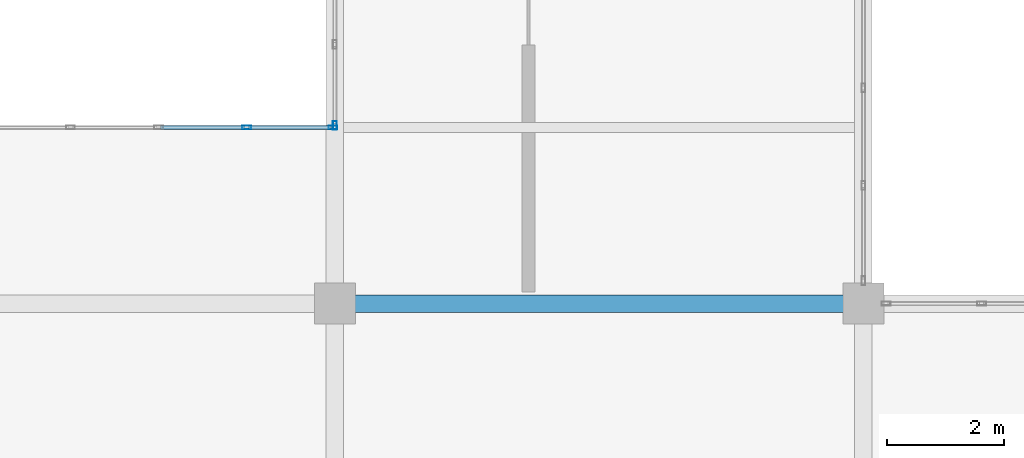
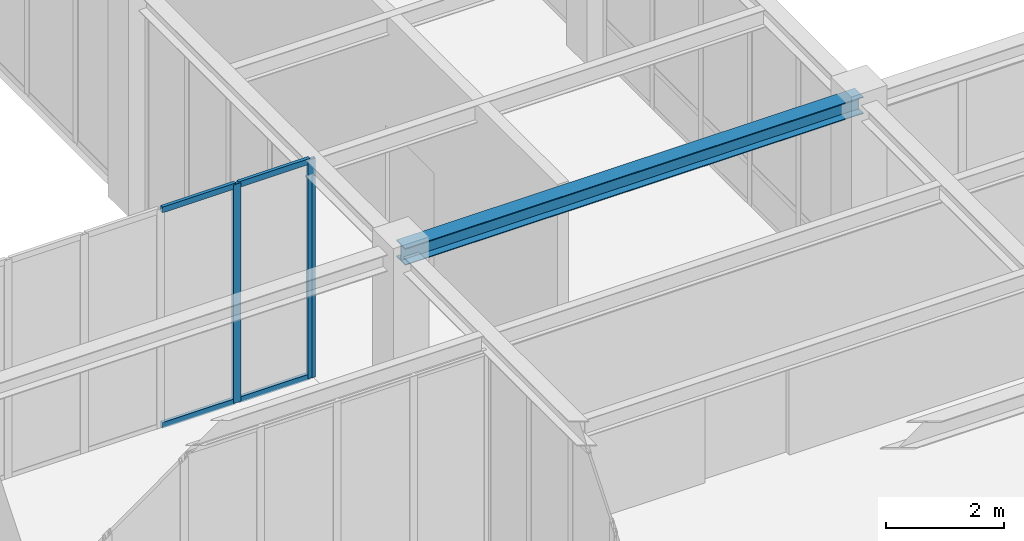
# One storey, part 36 of 92: 7 members, 1 beam, 2 elements without a shape of their own.
"""IFC4 building model written with IfcOpenShell, lengths in metres."""

from ifc_helpers import new_model, si_unit, direction, frame, origin, origin_2d, place, context, subcontext, project, spatial, hollow_rectangle, i_section, extrude, material, material_profile, profile_set, type_object, element, aggregate, save


model = new_model("IFC4")

# Units and contexts
model_context = context("Model", 3, precision=1e-05, world=origin(), true_north=direction((0.0, 1.0)))
body_context = subcontext(model_context, "Body", "Model", "MODEL_VIEW")
ifc_project = project(units=[si_unit("LENGTHUNIT", "METRE"), si_unit("AREAUNIT", "SQUARE_METRE"), si_unit("VOLUMEUNIT", "CUBIC_METRE"), si_unit("PLANEANGLEUNIT", "RADIAN"), si_unit("MASSUNIT", "GRAM", prefix="KILO")], contexts=[model_context])

# Site, building, storey
site_placement = place(None, origin())
site = spatial("IfcSite", under=ifc_project, at=site_placement, CompositionType="ELEMENT")
building_placement = place(site_placement, origin())
building = spatial("IfcBuilding", under=site, at=building_placement, Name="Lykobir Media Centre", CompositionType="ELEMENT")
storey_placement = place(building_placement, frame((0.0, 0.0, 5.39990234375)))
storey = spatial("IfcBuildingStorey", under=building, at=storey_placement, Name="L01", CompositionType="ELEMENT", Elevation=5.39990234375)

# Curtain wall, member
ifc_material_1 = material(Name="Anodized Aluminium AW-6060", Category="aluminium")
curtain_wall_type = type_object("IfcCurtainWallType", Name="CW-BRIDGE", PredefinedType="NOTDEFINED", material=ifc_material_1)
curtain_wall_1_placement = place(storey_placement, origin())
curtain_wall_1 = element("IfcCurtainWall", 1, at=curtain_wall_1_placement, inside=storey, type_object=curtain_wall_type, Name="Curtain wall CW2-L01-0037", PredefinedType="NOTDEFINED")
ifc_material_profile_1 = material_profile(ifc_material_1, hollow_rectangle(XDim=0.06494140625, YDim=0.14990234375, WallThickness=0.00341796875, at=origin_2d()), Name="ALU MULLION 65x150")
ifc_profile_set_1 = profile_set([ifc_material_profile_1], Name="Anodized Aluminium AW-6060")
member_type_1 = type_object("IfcMemberType", Name="CWM-150", PredefinedType="MULLION", material=ifc_profile_set_1)
member_1_placement = place(storey_placement, frame((90.0, 21.032470703125, 0.0), z_axis=(0.0, 0.0, 1.0), x_axis=(-1.0, 0.0, 0.0)))
member_1 = element("IfcMember", 2, at=member_1_placement, type_object=member_type_1, Name="CW2-L01-0037 mullion 1", PredefinedType="MULLION", context=body_context, shape_type="SweptSolid", body=[
    extrude(hollow_rectangle(XDim=0.06494140625, YDim=0.14990234375, WallThickness=0.00341796875, at=origin_2d()), origin(), (0.0, 0.0, 1.0), 4.195068359375),
])
aggregate(curtain_wall_1, [member_1])

# Curtain wall, members
curtain_wall_2_placement = place(storey_placement, origin())
curtain_wall_2 = element("IfcCurtainWall", 3, at=curtain_wall_2_placement, inside=storey, type_object=curtain_wall_type, Name="Curtain wall CW2-L01-0043", PredefinedType="NOTDEFINED")
member_2_placement = place(storey_placement, frame((88.5, 21.0, 0.0), z_axis=(0.0, 0.0, 1.0), x_axis=(0.0, 1.0, 0.0)))
member_2 = element("IfcMember", 4, at=member_2_placement, type_object=member_type_1, Name="CW2-L01-0043 mullion 6", PredefinedType="MULLION", context=body_context, shape_type="SweptSolid", body=[
    extrude(hollow_rectangle(XDim=0.06494140625, YDim=0.14990234375, WallThickness=0.00341796875, at=origin_2d()), origin(), (0.0, 0.0, 1.0), 4.5400390625),
])
member_3_placement = place(storey_placement, frame((89.967529296875, 21.0, 0.0), z_axis=(0.0, 0.0, 1.0), x_axis=(0.0, 1.0, 0.0)))
member_3 = element("IfcMember", 5, at=member_3_placement, type_object=member_type_1, Name="CW2-L01-0043 mullion 7", PredefinedType="MULLION", context=body_context, shape_type="SweptSolid", body=[
    extrude(hollow_rectangle(XDim=0.06494140625, YDim=0.14990234375, WallThickness=0.00341796875, at=origin_2d()), origin(), (0.0, 0.0, 1.0), 4.5400390625),
])
ifc_material_profile_2 = material_profile(ifc_material_1, hollow_rectangle(XDim=0.06494140625, YDim=0.1201171875, WallThickness=0.0029296875, at=origin_2d()), Name="ALU TRANSOM 65x120")
ifc_profile_set_2 = profile_set([ifc_material_profile_2], Name="Anodized Aluminium AW-6060")
member_type_2 = type_object("IfcMemberType", Name="CWT-120", PredefinedType="USERDEFINED", material=ifc_profile_set_2)
member_4_placement = place(storey_placement, frame((87.032470703125, 21.0, 0.03271484375), z_axis=(1.0, 0.0, 0.0), x_axis=(0.0, 1.0, 0.0)))
member_4 = element("IfcMember", 6, at=member_4_placement, type_object=member_type_2, Name="CW2-L01-0043 transom 5.1", ObjectType="TRANSOM", PredefinedType="USERDEFINED", context=body_context, shape_type="SweptSolid", body=[
    extrude(hollow_rectangle(XDim=0.06494140625, YDim=0.1201171875, WallThickness=0.0029296875, at=origin_2d()), origin(), (0.0, 0.0, 1.0), 1.43505859375),
])
member_5_placement = place(storey_placement, frame((87.032470703125, 21.0, 4.507568359375), z_axis=(1.0, 0.0, 0.0), x_axis=(0.0, 1.0, 0.0)))
member_5 = element("IfcMember", 7, at=member_5_placement, type_object=member_type_2, Name="CW2-L01-0043 transom 5.2", ObjectType="TRANSOM", PredefinedType="USERDEFINED", context=body_context, shape_type="SweptSolid", body=[
    extrude(hollow_rectangle(XDim=0.06494140625, YDim=0.1201171875, WallThickness=0.0029296875, at=origin_2d()), origin(), (0.0, 0.0, 1.0), 1.43505859375),
])
member_6_placement = place(storey_placement, frame((88.532470703125, 21.0, 0.03271484375), z_axis=(1.0, 0.0, 0.0), x_axis=(0.0, 1.0, 0.0)))
member_6 = element("IfcMember", 8, at=member_6_placement, type_object=member_type_2, Name="CW2-L01-0043 transom 6.1", ObjectType="TRANSOM", PredefinedType="USERDEFINED", context=body_context, shape_type="SweptSolid", body=[
    extrude(hollow_rectangle(XDim=0.06494140625, YDim=0.1201171875, WallThickness=0.0029296875, at=origin_2d()), origin(), (0.0, 0.0, 1.0), 1.402587890625),
])
member_7_placement = place(storey_placement, frame((88.532470703125, 21.0, 4.507568359375), z_axis=(1.0, 0.0, 0.0), x_axis=(0.0, 1.0, 0.0)))
member_7 = element("IfcMember", 9, at=member_7_placement, type_object=member_type_2, Name="CW2-L01-0043 transom 6.2", ObjectType="TRANSOM", PredefinedType="USERDEFINED", context=body_context, shape_type="SweptSolid", body=[
    extrude(hollow_rectangle(XDim=0.06494140625, YDim=0.1201171875, WallThickness=0.0029296875, at=origin_2d()), origin(), (0.0, 0.0, 1.0), 1.402587890625),
])
aggregate(curtain_wall_2, [member_2, member_3, member_4, member_5, member_6, member_7])

# Beam
ifc_material_2 = material(Name="Steel S355", Category="steel")
ifc_material_profile_3 = material_profile(ifc_material_2, i_section(OverallWidth=0.300048828125, OverallDepth=0.35009765625, WebThickness=0.010009765625, FlangeThickness=0.017578125, at=origin_2d()), Name="HEA 360")
ifc_profile_set_3 = profile_set([ifc_material_profile_3], Name="Steel S355")
beam_type = type_object("IfcBeamType", Name="SP-HEA360", PredefinedType="SPANDREL", material=ifc_profile_set_3)
beam_placement = place(storey_placement, frame((90.0, 18.0, 4.385009765625), z_axis=(1.0, 0.0, 0.0), x_axis=(0.0, 1.0, 0.0)))
element("IfcBeam", 10, at=beam_placement, inside=storey, type_object=beam_type, Name="Beam BM-L01-0900-0180-0990-0180-978", PredefinedType="SPANDREL", context=body_context, shape_type="SweptSolid", body=[
    extrude(i_section(OverallWidth=0.300048828125, OverallDepth=0.35009765625, WebThickness=0.010009765625, FlangeThickness=0.017578125, at=origin_2d()), origin(), (0.0, 0.0, 1.0), 9.0),
])

save(model, "model.ifc")
